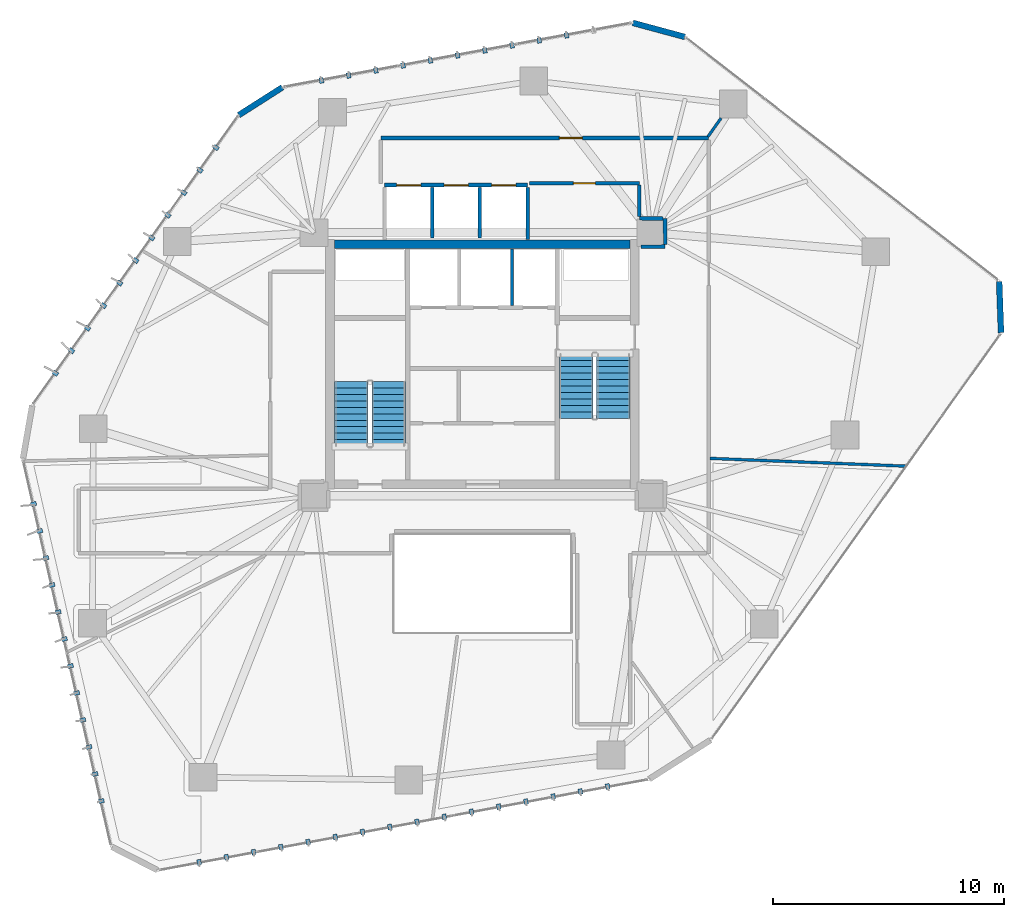
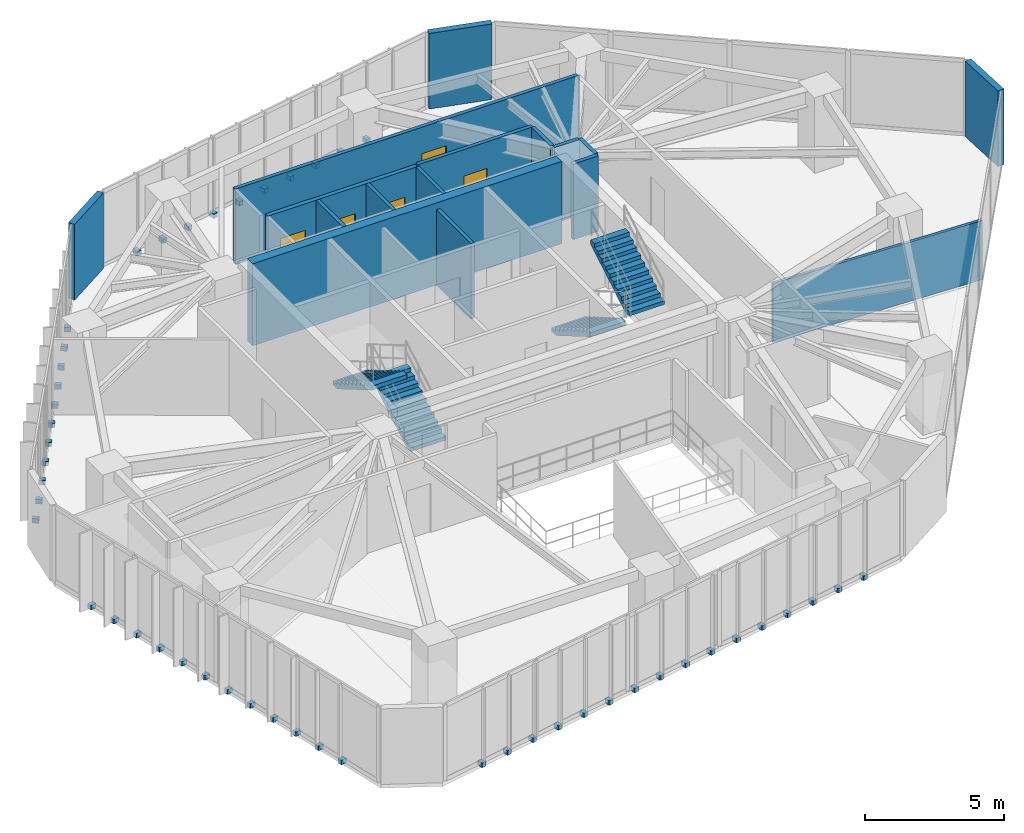
# One storey, part 18 of 22: 49 discrete accessories, 17 walls, 5 doors, 4 stair flights, 5 openings, 2 elements without a shape of their own.
"""IFC4 building model written with IfcOpenShell, lengths in metres."""

from ifc_helpers import new_model, si_unit, direction, frame, frame_2d, origin, origin_2d, place, context, subcontext, project, spatial, polyline, rectangle, outline, extrude, source, transform, mapped, material, layer, layer_set, type_object, type_shapes, element, fill, aggregate, save


model = new_model("IFC4")

# Units and contexts
model_context = context("Model", 3, precision=1e-05, world=origin(), true_north=direction((0.0, 1.0)))
body_context = subcontext(model_context, "Body", "Model", "MODEL_VIEW")
ifc_project = project(units=[si_unit("LENGTHUNIT", "METRE"), si_unit("AREAUNIT", "SQUARE_METRE"), si_unit("VOLUMEUNIT", "CUBIC_METRE"), si_unit("PLANEANGLEUNIT", "RADIAN"), si_unit("MASSUNIT", "GRAM", prefix="KILO")], contexts=[model_context])

# Site, building, storey
site_placement = place(None, origin())
site = spatial("IfcSite", under=ifc_project, at=site_placement, CompositionType="ELEMENT")
building_placement = place(site_placement, origin())
building = spatial("IfcBuilding", under=site, at=building_placement, Name="Talar Marvaseh", CompositionType="ELEMENT")
storey_placement = place(building_placement, frame((0.0, 0.0, 121.800048828125)))
storey = spatial("IfcBuildingStorey", under=building, at=storey_placement, Name="L31", CompositionType="ELEMENT", Elevation=121.800048828125)

# Walls
ifc_material_1 = material(Name="Precast concrete C45/55", Category="concrete")
ifc_layer_1 = layer(ifc_material_1, 0.2548828125)
ifc_layer_set_1 = layer_set([ifc_layer_1], Name="Precast concrete C45/55")
wall_type_1 = type_object("IfcWallType", Name="Chamfered Hexagonal Corner Pier Wall Z2 255", PredefinedType="SOLIDWALL", material=ifc_layer_set_1)
wall_1_placement = place(storey_placement, frame((15.43701171875, 41.9912109375, 0.0), z_axis=(0.0, 0.0, 1.0), x_axis=(0.8433972083, 0.537290562946, 0.0)))
element("IfcWall", 1, at=wall_1_placement, inside=storey, type_object=wall_type_1, Name="L31 Chamfered Corner Limestone Pier 3", PredefinedType="SOLIDWALL", context=body_context, shape_type="SweptSolid", body=[
    extrude(rectangle(XDim=2.2451171875, YDim=0.2548828125, at=frame_2d((1.12255859375, 0.0))), origin(), (0.0, 0.0, 1.0), 3.31005859375),
])
wall_2_placement = place(storey_placement, frame((32.51416015625, 45.991455078125, 0.0), z_axis=(0.0, 0.0, 1.0), x_axis=(0.96535345272, -0.260945801502, 0.0)))
element("IfcWall", 2, at=wall_2_placement, inside=storey, type_object=wall_type_1, Name="L31 Chamfered Corner Limestone Pier 4", PredefinedType="SOLIDWALL", context=body_context, shape_type="SweptSolid", body=[
    extrude(rectangle(XDim=2.3408203125, YDim=0.2548828125, at=frame_2d((1.17041015625, 0.0))), origin(), (0.0, 0.0, 1.0), 3.31005859375),
])
wall_3_placement = place(storey_placement, frame((48.393798828125, 34.777099609375, 0.0), z_axis=(0.0, 0.0, 1.0), x_axis=(0.036237618582, -0.999343201808, 0.0)))
element("IfcWall", 3, at=wall_3_placement, inside=storey, type_object=wall_type_1, Name="L31 Chamfered Corner Limestone Pier 5", PredefinedType="SOLIDWALL", context=body_context, shape_type="SweptSolid", body=[
    extrude(rectangle(XDim=2.216552734375, YDim=0.2548828125, at=frame_2d((1.1083984375, 0.0))), origin(), (0.0, 0.0, 1.0), 3.31005859375),
])

# Wall, opening, door
ifc_material_2 = material(Name="Gypsum Board Partition Assembly")
ifc_layer_2 = layer(ifc_material_2, 0.155029296875)
ifc_layer_set_2 = layer_set([ifc_layer_2], Name="Gypsum Board Partition Assembly")
wall_type_2 = type_object("IfcWallType", Name="Corridor Fire-Rated Acoustic Partition 155", PredefinedType="PARTITIONING", material=ifc_layer_set_2)
wall_4_placement = place(storey_placement, frame((32.800048828125, 39.0400390625, 0.0), z_axis=(0.0, 0.0, 1.0), x_axis=(-1.0, 0.0, 0.0)))
wall_4 = element("IfcWall", 4, at=wall_4_placement, inside=storey, type_object=wall_type_2, Name="L31 Interior Partition Wall", PredefinedType="PARTITIONING", context=body_context, shape_type="SweptSolid", body=[
    extrude(rectangle(XDim=4.77001953125, YDim=0.155029296875, at=frame_2d((2.385009765625, 0.0))), origin(), (0.0, 0.0, 1.0), 3.31005859375),
])
opening_1_placement = place(wall_4_placement, frame((1.909912109375, 0.0, 0.0)))
opening_1 = element("IfcOpeningElement", 5, at=opening_1_placement, cuts=wall_4, Name="Opening DR-WC095", PredefinedType="OPENING", context=body_context, shape_type="SweptSolid", body=[
    extrude(rectangle(XDim=0.949951171875, YDim=2.14990234375, at=frame_2d((0.47509765625, 1.074951171875))), frame((0.0, 0.08740234375, 0.0), z_axis=(0.0, -1.0, 0.0), x_axis=(1.0, 0.0, 0.0)), (0.0, 0.0, 1.0), 0.175048828125),
])
ifc_material_3 = material(Name="Acoustic Engineered Oak Timber", Category="wood")
door_type_1 = type_object("IfcDoorType", Name="Washroom and Service Room Door 950x2150", OperationType="NOTDEFINED", PredefinedType="DOOR", material=ifc_material_3)
shared_shape_1 = source(origin(), body_context, "Body", "SweptSolid", [
    extrude(rectangle(XDim=0.949951171875, YDim=2.14990234375, at=frame_2d((0.47509765625, 1.074951171875))), frame((0.0, 0.02490234375, 0.0), z_axis=(0.0, -1.0, 0.0), x_axis=(1.0, 0.0, 0.0)), (0.0, 0.0, 1.0), 0.050048828125),
])
type_shapes(door_type_1, [shared_shape_1])
door_1_placement = place(opening_1_placement, origin())
door_1 = element("IfcDoor", 6, at=door_1_placement, inside=storey, type_object=door_type_1, Name="L31 WC Public Washrooms Door", OperationType="SINGLE_SWING_LEFT", OverallHeight=2.14990234375, OverallWidth=0.949951171875, PredefinedType="DOOR", context=body_context, shape_type="MappedRepresentation", body=[
    mapped(shared_shape_1, transform((0.0, 0.0, 0.0), x_axis=(1.0, 0.0, 0.0), y_axis=(0.0, 1.0, 0.0), z_axis=(0.0, 0.0, 1.0), scale=1.0)),
])
fill(opening_1, door_1)

wall_5_placement = place(storey_placement, frame((21.60009765625, 41.0, 0.0), z_axis=(0.0, 0.0, 1.0), x_axis=(1.0, 0.0, 0.0)))
wall_5 = element("IfcWall", 7, at=wall_5_placement, inside=storey, type_object=wall_type_2, Name="L31 Interior Partition Wall", PredefinedType="PARTITIONING", context=body_context, shape_type="SweptSolid", body=[
    extrude(rectangle(XDim=14.199951171875, YDim=0.155029296875, at=frame_2d((7.10009765625, 0.0))), origin(), (0.0, 0.0, 1.0), 3.31005859375),
])
opening_2_placement = place(wall_5_placement, frame((7.736083984375, 0.0, 0.0)))
opening_2 = element("IfcOpeningElement", 8, at=opening_2_placement, cuts=wall_5, Name="Opening DR-RM100", PredefinedType="OPENING", context=body_context, shape_type="SweptSolid", body=[
    extrude(rectangle(XDim=1.0, YDim=2.14990234375, at=frame_2d((0.5, 1.074951171875))), frame((0.0, 0.08740234375, 0.0), z_axis=(0.0, -1.0, 0.0), x_axis=(1.0, 0.0, 0.0)), (0.0, 0.0, 1.0), 0.175048828125),
])
door_type_2 = type_object("IfcDoorType", Name="Corridor Fire-Rated Gallery Door 1000x2150", OperationType="NOTDEFINED", PredefinedType="DOOR", material=ifc_material_3)
shared_shape_2 = source(origin(), body_context, "Body", "SweptSolid", [
    extrude(rectangle(XDim=1.0, YDim=2.14990234375, at=frame_2d((0.5, 1.074951171875))), frame((0.0, 0.02490234375, 0.0), z_axis=(0.0, -1.0, 0.0), x_axis=(1.0, 0.0, 0.0)), (0.0, 0.0, 1.0), 0.050048828125),
])
type_shapes(door_type_2, [shared_shape_2])
door_2_placement = place(opening_2_placement, origin())
door_2 = element("IfcDoor", 9, at=door_2_placement, inside=storey, type_object=door_type_2, Name="L31 Cultural Fellowship Office Door", OperationType="SINGLE_SWING_RIGHT", OverallHeight=2.14990234375, OverallWidth=1.0, PredefinedType="DOOR", context=body_context, shape_type="MappedRepresentation", body=[
    mapped(shared_shape_2, transform((0.0, 0.0, 0.0), x_axis=(1.0, 0.0, 0.0), y_axis=(0.0, 1.0, 0.0), z_axis=(0.0, 0.0, 1.0), scale=1.0)),
])
fill(opening_2, door_2)

# Walls
wall_6_placement = place(storey_placement, frame((32.8701171875, 36.284912109375, 0.0), z_axis=(0.0, 0.0, 1.0), x_axis=(0.999895094683, 0.014484461652, 0.0)))
element("IfcWall", 10, at=wall_6_placement, inside=storey, type_object=wall_type_2, Name="L31 Interior Partition Wall", PredefinedType="PARTITIONING", context=body_context, shape_type="SweptSolid", body=[
    extrude(rectangle(XDim=1.044921875, YDim=0.155029296875, at=frame_2d((0.5224609375, 0.0))), origin(), (0.0, 0.0, 1.0), 3.31005859375),
])
wall_7_placement = place(storey_placement, frame((33.914794921875, 36.383544921875, 0.0), z_axis=(0.0, 0.0, 1.0), x_axis=(-0.003682817312, 0.999993218405, 0.0)))
element("IfcWall", 11, at=wall_7_placement, inside=storey, type_object=wall_type_2, Name="L31 Interior Partition Wall", PredefinedType="PARTITIONING", context=body_context, shape_type="SweptSolid", body=[
    extrude(rectangle(XDim=1.126953125, YDim=0.155029296875, at=frame_2d((0.5634765625, 0.0))), origin(), (0.0, 0.0, 1.0), 3.31005859375),
])
wall_8_placement = place(storey_placement, frame((33.8271484375, 37.510986328125, 0.0), z_axis=(0.0, 0.0, 1.0), x_axis=(-0.99999276797, 0.003803157663, 0.0)))
element("IfcWall", 12, at=wall_8_placement, inside=storey, type_object=wall_type_2, Name="L31 Interior Partition Wall", PredefinedType="PARTITIONING", context=body_context, shape_type="SweptSolid", body=[
    extrude(rectangle(XDim=1.027099609375, YDim=0.155029296875, at=frame_2d((0.513671875, 0.0))), origin(), (0.0, 0.0, 1.0), 3.31005859375),
])
wall_9_placement = place(storey_placement, frame((32.800048828125, 37.598388671875, 0.0), z_axis=(0.0, 0.0, 1.0), x_axis=(0.0, 1.0, 0.0)))
element("IfcWall", 13, at=wall_9_placement, inside=storey, type_object=wall_type_2, Name="L31 Interior Partition Wall", PredefinedType="PARTITIONING", context=body_context, shape_type="SweptSolid", body=[
    extrude(rectangle(XDim=1.358154296875, YDim=0.155029296875, at=frame_2d((0.67919921875, 0.0))), origin(), (0.0, 0.0, 1.0), 3.31005859375),
])
ifc_layer_3 = layer(ifc_material_2, 0.1201171875)
ifc_layer_set_3 = layer_set([ifc_layer_3], Name="Gypsum Board Partition Assembly")
wall_type_3 = type_object("IfcWallType", Name="Demountable Studio Room Partition 120", PredefinedType="PARTITIONING", material=ifc_layer_set_3)
wall_10_placement = place(storey_placement, frame((35.864990234375, 27.117431640625, 0.0), z_axis=(0.0, 0.0, 1.0), x_axis=(0.999216289982, -0.039582898263, 0.0)))
element("IfcWall", 14, at=wall_10_placement, inside=storey, type_object=wall_type_3, Name="L31 Interior Partition Wall", PredefinedType="PARTITIONING", context=body_context, shape_type="SweptSolid", body=[
    extrude(rectangle(XDim=8.480712890625, YDim=0.1201171875, at=frame_2d((4.240234375, 0.0))), origin(), (0.0, 0.0, 1.0), 2.58984375),
])
wall_11_placement = place(storey_placement, frame((35.767578125, 41.052978515625, 0.0), z_axis=(0.0, 0.0, 1.0), x_axis=(0.578551152371, 0.815646102234, 0.0)))
element("IfcWall", 15, at=wall_11_placement, inside=storey, type_object=wall_type_3, Name="L31 Interior Partition Wall", PredefinedType="PARTITIONING", context=body_context, shape_type="SweptSolid", body=[
    extrude(rectangle(XDim=0.989501953125, YDim=0.1201171875, at=frame_2d((0.49462890625, 0.0))), origin(), (0.0, 0.0, 1.0), 2.58984375),
])
ifc_layer_4 = layer(ifc_material_1, 0.14501953125)
ifc_layer_set_4 = layer_set([ifc_layer_4], Name="Precast concrete C45/55")
wall_type_4 = type_object("IfcWallType", Name="Fire-Rated Lift Divider Wall 145", PredefinedType="SOLIDWALL", material=ifc_layer_set_4)
wall_12_placement = place(storey_placement, frame((27.280029296875, 33.743408203125, 0.0), z_axis=(0.0, 0.0, 1.0), x_axis=(0.0, 1.0, 0.0)))
element("IfcWall", 16, at=wall_12_placement, inside=storey, type_object=wall_type_4, Name="L31 FFL-2/SVL-1 Divider", PredefinedType="SOLIDWALL", context=body_context, shape_type="SweptSolid", body=[
    extrude(rectangle(XDim=2.45654296875, YDim=0.14501953125, at=frame_2d((1.228271484375, 0.0))), origin(), (0.0, 0.0, 1.0), 3.31005859375),
])
wall_13_placement = place(storey_placement, frame((27.9599609375, 36.60009765625, 0.0), z_axis=(0.0, 0.0, 1.0), x_axis=(0.0, 1.0, 0.0)))
element("IfcWall", 17, at=wall_13_placement, inside=storey, type_object=wall_type_4, Name="L31 Low-Rise Bank East Wall", PredefinedType="SOLIDWALL", context=body_context, shape_type="SweptSolid", body=[
    extrude(rectangle(XDim=2.266357421875, YDim=0.14501953125, at=frame_2d((1.13330078125, 0.0))), origin(), (0.0, 0.0, 1.0), 3.31005859375),
])
for number, where, z_axis, x_axis, name in (
    (18, (23.830078125, 36.659912109375, 0.0), (0.0, 0.0, 1.0), (0.0, 1.0, 0.0), "L31 PL-L1/PL-L2 Divider"),
    (19, (25.889892578125, 36.659912109375, 0.0), (0.0, 0.0, 1.0), (0.0, 1.0, 0.0), "L31 PL-L2/PL-L3 Divider"),
):
    element("IfcWall", number, at=place(storey_placement, frame(where, z_axis=z_axis, x_axis=x_axis)), inside=storey, type_object=wall_type_4, Name=name, PredefinedType="SOLIDWALL", context=body_context, shape_type="SweptSolid", body=[
        extrude(rectangle(XDim=2.20654296875, YDim=0.14501953125, at=frame_2d((1.103271484375, 0.0))), origin(), (0.0, 0.0, 1.0), 3.31005859375),
    ])

# Wall, openings, doors
ifc_layer_5 = layer(ifc_material_1, 0.175048828125)
ifc_layer_set_5 = layer_set([ifc_layer_5], Name="Precast concrete C45/55")
wall_type_5 = type_object("IfcWallType", Name="Fire-Rated Lift Hoistway Enclosure Wall 175", PredefinedType="SOLIDWALL", material=ifc_layer_set_5)
wall_14_placement = place(storey_placement, frame((21.760009765625, 38.9599609375, 0.0), z_axis=(0.0, 0.0, 1.0), x_axis=(1.0, 0.0, 0.0)))
wall_14 = element("IfcWall", 20, at=wall_14_placement, inside=storey, type_object=wall_type_5, Name="L31 Low-Rise Lift Bank Front Wall", PredefinedType="SOLIDWALL", context=body_context, shape_type="SweptSolid", body=[
    extrude(rectangle(XDim=6.199951171875, YDim=0.175048828125, at=frame_2d((3.10009765625, 0.0))), origin(), (0.0, 0.0, 1.0), 3.31005859375),
])
opening_3_placement = place(wall_14_placement, frame((0.52001953125, 0.0, 0.0)))
opening_3 = element("IfcOpeningElement", 21, at=opening_3_placement, cuts=wall_14, Name="Opening LD-PLL1", PredefinedType="OPENING", context=body_context, shape_type="SweptSolid", body=[
    extrude(rectangle(XDim=1.050048828125, YDim=2.14990234375, at=frame_2d((0.52490234375, 1.074951171875))), frame((0.0, 0.09765625, 0.0), z_axis=(0.0, -1.0, 0.0), x_axis=(1.0, 0.0, 0.0)), (0.0, 0.0, 1.0), 0.195068359375),
])
opening_4_placement = place(wall_14_placement, frame((2.580078125, 0.0, 0.0)))
opening_4 = element("IfcOpeningElement", 22, at=opening_4_placement, cuts=wall_14, Name="Opening LD-PLL2", PredefinedType="OPENING", context=body_context, shape_type="SweptSolid", body=[
    extrude(rectangle(XDim=1.050048828125, YDim=2.14990234375, at=frame_2d((0.52490234375, 1.074951171875))), frame((0.0, 0.09765625, 0.0), z_axis=(0.0, -1.0, 0.0), x_axis=(1.0, 0.0, 0.0)), (0.0, 0.0, 1.0), 0.195068359375),
])
opening_5_placement = place(wall_14_placement, frame((4.639892578125, 0.0, 0.0)))
opening_5 = element("IfcOpeningElement", 23, at=opening_5_placement, cuts=wall_14, Name="Opening LD-PLL3", PredefinedType="OPENING", context=body_context, shape_type="SweptSolid", body=[
    extrude(rectangle(XDim=1.050048828125, YDim=2.14990234375, at=frame_2d((0.52490234375, 1.074951171875))), frame((0.0, 0.09765625, 0.0), z_axis=(0.0, -1.0, 0.0), x_axis=(1.0, 0.0, 0.0)), (0.0, 0.0, 1.0), 0.195068359375),
])
ifc_material_4 = material(Name="Stainless Steel Grade 316", Category="steel")
door_type_3 = type_object("IfcDoorType", Name="Automatic Sliding Lift Landing Door 1050x2150", OperationType="NOTDEFINED", PredefinedType="DOOR", material=ifc_material_4)
shared_shape_3 = source(origin(), body_context, "Body", "SweptSolid", [
    extrude(rectangle(XDim=1.050048828125, YDim=2.14990234375, at=frame_2d((0.52490234375, 1.074951171875))), frame((0.0, 0.02490234375, 0.0), z_axis=(0.0, -1.0, 0.0), x_axis=(1.0, 0.0, 0.0)), (0.0, 0.0, 1.0), 0.050048828125),
])
type_shapes(door_type_3, [shared_shape_3])
door_3_placement = place(opening_3_placement, origin())
door_3 = element("IfcDoor", 24, at=door_3_placement, inside=storey, type_object=door_type_3, Name="L31 Lift PL-L1 Sliding Landing Door", OperationType="SLIDING_TO_LEFT", OverallHeight=2.14990234375, OverallWidth=1.050048828125, PredefinedType="DOOR", context=body_context, shape_type="MappedRepresentation", body=[
    mapped(shared_shape_3, transform((0.0, 0.0, 0.0), x_axis=(1.0, 0.0, 0.0), y_axis=(0.0, 1.0, 0.0), z_axis=(0.0, 0.0, 1.0), scale=1.0)),
])
fill(opening_3, door_3)
door_4_placement = place(opening_4_placement, origin())
door_4 = element("IfcDoor", 25, at=door_4_placement, inside=storey, type_object=door_type_3, Name="L31 Lift PL-L2 Sliding Landing Door", OperationType="SLIDING_TO_LEFT", OverallHeight=2.14990234375, OverallWidth=1.050048828125, PredefinedType="DOOR", context=body_context, shape_type="MappedRepresentation", body=[
    mapped(shared_shape_3, transform((0.0, 0.0, 0.0), x_axis=(1.0, 0.0, 0.0), y_axis=(0.0, 1.0, 0.0), z_axis=(0.0, 0.0, 1.0), scale=1.0)),
])
fill(opening_4, door_4)
door_5_placement = place(opening_5_placement, origin())
door_5 = element("IfcDoor", 26, at=door_5_placement, inside=storey, type_object=door_type_3, Name="L31 Lift PL-L3 Sliding Landing Door", OperationType="SLIDING_TO_LEFT", OverallHeight=2.14990234375, OverallWidth=1.050048828125, PredefinedType="DOOR", context=body_context, shape_type="MappedRepresentation", body=[
    mapped(shared_shape_3, transform((0.0, 0.0, 0.0), x_axis=(1.0, 0.0, 0.0), y_axis=(0.0, 1.0, 0.0), z_axis=(0.0, 0.0, 1.0), scale=1.0)),
])
fill(opening_5, door_5)

# Wall
ifc_material_5 = material(Name="Concrete C60/75", Category="concrete")
ifc_layer_6 = layer(ifc_material_5, 0.3798828125)
ifc_layer_set_6 = layer_set([ifc_layer_6], Name="Concrete C60/75")
wall_type_6 = type_object("IfcWallType", Name="Mid Core Reinforced Concrete Shear Wall 380", PredefinedType="SHEAR", material=ifc_layer_set_6)
wall_15_placement = place(storey_placement, frame((19.60009765625, 36.39990234375, 0.0), z_axis=(0.0, 0.0, 1.0), x_axis=(1.0, 0.0, 0.0)))
element("IfcWall", 27, at=wall_15_placement, inside=storey, type_object=wall_type_6, Name="L31 North Core Shear Wall", PredefinedType="SHEAR", context=body_context, shape_type="SweptSolid", body=[
    extrude(rectangle(XDim=12.7998046875, YDim=0.3798828125, at=frame_2d((6.39990234375, 0.0))), origin(), (0.0, 0.0, 1.0), 3.599853515625),
])

# Stair, stair flights
ifc_material_6 = material(Name="Concrete C40/50", Category="concrete")
stair_type = type_object("IfcStairType", Name="Reinforced Concrete Half-Turn Exit Stair Type B", PredefinedType="HALF_TURN_STAIR", material=ifc_material_6)
stair_1_placement = place(storey_placement, origin())
stair_1 = element("IfcStair", 28, at=stair_1_placement, inside=storey, type_object=stair_type, Name="L31 Tower West Core Exit Stair", PredefinedType="HALF_TURN_STAIR")
ifc_layer_7 = layer(ifc_material_6, 0.159912109375)
ifc_layer_set_7 = layer_set([ifc_layer_7], Name="Concrete C40/50")
stair_flight_type = type_object("IfcStairFlightType", Name="Reinforced Concrete Straight Stair Flight 160", PredefinedType="STRAIGHT", material=ifc_layer_set_7)
stair_flight_1_placement = place(storey_placement, frame((21.93505859375, 27.64990234375, 0.0), z_axis=(0.0, 0.0, 1.0), x_axis=(0.0, 1.0, 0.0)))
stair_flight_1 = element("IfcStairFlight", 29, at=stair_flight_1_placement, type_object=stair_flight_type, Name="ST-1 flight 1", NumberOfRisers=11, NumberOfTreads=10, PredefinedType="STRAIGHT", RiserHeight=0.163636364, TreadLength=0.28, context=body_context, shape_type="SweptSolid", body=[
    extrude(outline(polyline([(0.0, 0.0), (0.0, 0.16357421875), (0.280029296875, 0.16357421875), (0.280029296875, 0.327392578125), (0.56005859375, 0.327392578125), (0.56005859375, 0.490966796875), (0.840087890625, 0.490966796875), (0.840087890625, 0.654541015625), (1.1201171875, 0.654541015625), (1.1201171875, 0.818115234375), (1.39990234375, 0.818115234375), (1.39990234375, 0.98193359375), (1.679931640625, 0.98193359375), (1.679931640625, 1.1455078125), (1.9599609375, 1.1455078125), (1.9599609375, 1.30908203125), (2.239990234375, 1.30908203125), (2.239990234375, 1.47265625), (2.52001953125, 1.47265625), (2.52001953125, 1.636474609375), (2.800048828125, 1.636474609375), (2.800048828125, 1.800048828125), (2.800048828125, 1.451171875), (0.31689453125, 0.0), (0.0, 0.0)])), frame((0.0, 0.72509765625, 0.0), z_axis=(0.0, -1.0, 0.0), x_axis=(1.0, 0.0, 0.0)), (0.0, 0.0, 1.0), 1.449951171875),
])
stair_flight_2_placement = place(storey_placement, frame((20.324951171875, 30.449951171875, 1.800048828125), z_axis=(0.0, 0.0, 1.0), x_axis=(0.0, -1.0, 0.0)))
stair_flight_2 = element("IfcStairFlight", 30, at=stair_flight_2_placement, type_object=stair_flight_type, Name="ST-1 flight 2", NumberOfRisers=11, NumberOfTreads=10, PredefinedType="STRAIGHT", RiserHeight=0.163636364, TreadLength=0.28, context=body_context, shape_type="SweptSolid", body=[
    extrude(outline(polyline([(0.0, 0.0), (0.0, 0.16357421875), (0.280029296875, 0.16357421875), (0.280029296875, 0.327392578125), (0.56005859375, 0.327392578125), (0.56005859375, 0.490966796875), (0.840087890625, 0.490966796875), (0.840087890625, 0.654541015625), (1.1201171875, 0.654541015625), (1.1201171875, 0.818115234375), (1.39990234375, 0.818115234375), (1.39990234375, 0.98193359375), (1.679931640625, 0.98193359375), (1.679931640625, 1.1455078125), (1.9599609375, 1.1455078125), (1.9599609375, 1.30908203125), (2.239990234375, 1.30908203125), (2.239990234375, 1.47265625), (2.52001953125, 1.47265625), (2.52001953125, 1.636474609375), (2.800048828125, 1.636474609375), (2.800048828125, 1.800048828125), (2.800048828125, 1.451171875), (0.31689453125, 0.0), (0.0, 0.0)])), frame((0.0, 0.72509765625, 0.0), z_axis=(0.0, -1.0, 0.0), x_axis=(1.0, 0.0, 0.0)), (0.0, 0.0, 1.0), 1.449951171875),
])
aggregate(stair_1, [stair_flight_1, stair_flight_2])

stair_2_placement = place(storey_placement, origin())
stair_2 = element("IfcStair", 31, at=stair_2_placement, inside=storey, type_object=stair_type, Name="L31 Tower East Core Exit Stair", PredefinedType="HALF_TURN_STAIR")
stair_flight_3_placement = place(storey_placement, frame((30.06494140625, 31.64990234375, 0.0), z_axis=(0.0, 0.0, 1.0), x_axis=(0.0, -1.0, 0.0)))
stair_flight_3 = element("IfcStairFlight", 32, at=stair_flight_3_placement, type_object=stair_flight_type, Name="ST-2 flight 1", NumberOfRisers=11, NumberOfTreads=10, PredefinedType="STRAIGHT", RiserHeight=0.163636364, TreadLength=0.28, context=body_context, shape_type="SweptSolid", body=[
    extrude(outline(polyline([(0.0, 0.0), (0.0, 0.16357421875), (0.280029296875, 0.16357421875), (0.280029296875, 0.327392578125), (0.56005859375, 0.327392578125), (0.56005859375, 0.490966796875), (0.840087890625, 0.490966796875), (0.840087890625, 0.654541015625), (1.1201171875, 0.654541015625), (1.1201171875, 0.818115234375), (1.39990234375, 0.818115234375), (1.39990234375, 0.98193359375), (1.679931640625, 0.98193359375), (1.679931640625, 1.1455078125), (1.9599609375, 1.1455078125), (1.9599609375, 1.30908203125), (2.239990234375, 1.30908203125), (2.239990234375, 1.47265625), (2.52001953125, 1.47265625), (2.52001953125, 1.636474609375), (2.800048828125, 1.636474609375), (2.800048828125, 1.800048828125), (2.800048828125, 1.451171875), (0.31689453125, 0.0), (0.0, 0.0)])), frame((0.0, 0.72509765625, 0.0), z_axis=(0.0, -1.0, 0.0), x_axis=(1.0, 0.0, 0.0)), (0.0, 0.0, 1.0), 1.449951171875),
])
stair_flight_4_placement = place(storey_placement, frame((31.675048828125, 28.85009765625, 1.800048828125), z_axis=(0.0, 0.0, 1.0), x_axis=(0.0, 1.0, 0.0)))
stair_flight_4 = element("IfcStairFlight", 33, at=stair_flight_4_placement, type_object=stair_flight_type, Name="ST-2 flight 2", NumberOfRisers=11, NumberOfTreads=10, PredefinedType="STRAIGHT", RiserHeight=0.163636364, TreadLength=0.28, context=body_context, shape_type="SweptSolid", body=[
    extrude(outline(polyline([(0.0, 0.0), (0.0, 0.16357421875), (0.280029296875, 0.16357421875), (0.280029296875, 0.327392578125), (0.56005859375, 0.327392578125), (0.56005859375, 0.490966796875), (0.840087890625, 0.490966796875), (0.840087890625, 0.654541015625), (1.1201171875, 0.654541015625), (1.1201171875, 0.818115234375), (1.39990234375, 0.818115234375), (1.39990234375, 0.98193359375), (1.679931640625, 0.98193359375), (1.679931640625, 1.1455078125), (1.9599609375, 1.1455078125), (1.9599609375, 1.30908203125), (2.239990234375, 1.30908203125), (2.239990234375, 1.47265625), (2.52001953125, 1.47265625), (2.52001953125, 1.636474609375), (2.800048828125, 1.636474609375), (2.800048828125, 1.800048828125), (2.800048828125, 1.451171875), (0.31689453125, 0.0), (0.0, 0.0)])), frame((0.0, 0.72509765625, 0.0), z_axis=(0.0, -1.0, 0.0), x_axis=(1.0, 0.0, 0.0)), (0.0, 0.0, 1.0), 1.449951171875),
])
aggregate(stair_2, [stair_flight_3, stair_flight_4])

# Discrete accessories
discrete_accessory_type = type_object("IfcDiscreteAccessoryType", Name="Stainless Slab-Edge Fin Mounting Bracket", PredefinedType="BRACKET", material=ifc_material_4)
shared_shape_4 = source(origin(), body_context, "Body", "SweptSolid", [
    extrude(rectangle(XDim=0.239990234375, YDim=0.179931640625, at=origin_2d()), origin(), (0.0, 0.0, 1.0), 0.199951171875),
])
type_shapes(discrete_accessory_type, [shared_shape_4])
for number, where, z_axis, x_axis, name in (
    (34, (9.4853515625, 12.270263671875, -0.18017578125), (0.0, 0.0, 1.0), (-0.974955645484, -0.222399391499, 0.0), "L31 Vertical Fin Slab-Edge Bracket"),
    (35, (9.218505859375, 13.440185546875, -0.18017578125), (0.0, 0.0, 1.0), (-0.974955645484, -0.222399391499, 0.0), "L31 Vertical Fin Slab-Edge Bracket"),
    (36, (8.95166015625, 14.610107421875, -0.18017578125), (0.0, 0.0, 1.0), (-0.974955645484, -0.222399391499, 0.0), "L31 Vertical Fin Slab-Edge Bracket"),
    (37, (8.684814453125, 15.780029296875, -0.18017578125), (0.0, 0.0, 1.0), (-0.974955645484, -0.222399391499, 0.0), "L31 Vertical Fin Slab-Edge Bracket"),
    (38, (8.418212890625, 16.9501953125, -0.18017578125), (0.0, 0.0, 1.0), (-0.974955645484, -0.222399391499, 0.0), "L31 Vertical Fin Slab-Edge Bracket"),
    (39, (8.1513671875, 18.1201171875, -0.18017578125), (0.0, 0.0, 1.0), (-0.974955645484, -0.222399391499, 0.0), "L31 Vertical Fin Slab-Edge Bracket"),
    (40, (7.884521484375, 19.2900390625, -0.18017578125), (0.0, 0.0, 1.0), (-0.974955645484, -0.222399391499, 0.0), "L31 Vertical Fin Slab-Edge Bracket"),
    (41, (7.61767578125, 20.4599609375, -0.18017578125), (0.0, 0.0, 1.0), (-0.974955645484, -0.222399391499, 0.0), "L31 Vertical Fin Slab-Edge Bracket"),
    (42, (7.350830078125, 21.6298828125, -0.18017578125), (0.0, 0.0, 1.0), (-0.974955645484, -0.222399391499, 0.0), "L31 Vertical Fin Slab-Edge Bracket"),
    (43, (7.083984375, 22.7998046875, -0.18017578125), (0.0, 0.0, 1.0), (-0.974955645484, -0.222399391499, 0.0), "L31 Vertical Fin Slab-Edge Bracket"),
    (44, (6.817138671875, 23.969970703125, -0.18017578125), (0.0, 0.0, 1.0), (-0.974955645484, -0.222399391499, 0.0), "L31 Vertical Fin Slab-Edge Bracket"),
    (45, (6.55029296875, 25.139892578125, -0.18017578125), (0.0, 0.0, 1.0), (-0.974955645484, -0.222399391499, 0.0), "L31 Vertical Fin Slab-Edge Bracket"),
    (46, (7.497314453125, 30.804931640625, -0.18017578125), (0.0, 0.0, 1.0), (-0.814824373094, 0.579707892832, 0.0), "L31 Vertical Fin Slab-Edge Bracket"),
    (47, (8.19287109375, 31.78271484375, -0.18017578125), (0.0, 0.0, 1.0), (-0.814824373094, 0.579707892832, 0.0), "L31 Vertical Fin Slab-Edge Bracket"),
    (48, (8.888671875, 32.760498046875, -0.18017578125), (0.0, 0.0, 1.0), (-0.814824373094, 0.579707892832, 0.0), "L31 Vertical Fin Slab-Edge Bracket"),
    (49, (9.584228515625, 33.73828125, -0.18017578125), (0.0, 0.0, 1.0), (-0.814824373094, 0.579707892832, 0.0), "L31 Vertical Fin Slab-Edge Bracket"),
    (50, (10.27978515625, 34.716064453125, -0.18017578125), (0.0, 0.0, 1.0), (-0.814824373094, 0.579707892832, 0.0), "L31 Vertical Fin Slab-Edge Bracket"),
    (51, (10.9755859375, 35.69384765625, -0.18017578125), (0.0, 0.0, 1.0), (-0.814824373094, 0.579707892832, 0.0), "L31 Vertical Fin Slab-Edge Bracket"),
    (52, (11.67138671875, 36.671630859375, -0.18017578125), (0.0, 0.0, 1.0), (-0.814824373094, 0.579707892832, 0.0), "L31 Vertical Fin Slab-Edge Bracket"),
    (53, (12.366943359375, 37.6494140625, -0.18017578125), (0.0, 0.0, 1.0), (-0.814824373094, 0.579707892832, 0.0), "L31 Vertical Fin Slab-Edge Bracket"),
    (54, (13.062744140625, 38.627197265625, -0.18017578125), (0.0, 0.0, 1.0), (-0.814824373094, 0.579707892832, 0.0), "L31 Vertical Fin Slab-Edge Bracket"),
    (55, (13.75830078125, 39.60498046875, -0.18017578125), (0.0, 0.0, 1.0), (-0.814824373094, 0.579707892832, 0.0), "L31 Vertical Fin Slab-Edge Bracket"),
    (56, (14.4541015625, 40.582763671875, -0.18017578125), (0.0, 0.0, 1.0), (-0.814824373094, 0.579707892832, 0.0), "L31 Vertical Fin Slab-Edge Bracket"),
    (57, (19.022705078125, 43.4931640625, -0.18017578125), (0.0, 0.0, 1.0), (-0.1810341173, 0.983476816388, 0.0), "L31 Vertical Fin Slab-Edge Bracket"),
    (58, (20.202880859375, 43.71044921875, -0.18017578125), (0.0, 0.0, 1.0), (-0.1810341173, 0.983476816388, 0.0), "L31 Vertical Fin Slab-Edge Bracket"),
    (59, (21.3828125, 43.927734375, -0.18017578125), (0.0, 0.0, 1.0), (-0.1810341173, 0.983476816388, 0.0), "L31 Vertical Fin Slab-Edge Bracket"),
    (60, (22.56298828125, 44.14501953125, -0.18017578125), (0.0, 0.0, 1.0), (-0.1810341173, 0.983476816388, 0.0), "L31 Vertical Fin Slab-Edge Bracket"),
    (61, (23.7431640625, 44.3623046875, -0.18017578125), (0.0, 0.0, 1.0), (-0.1810341173, 0.983476816388, 0.0), "L31 Vertical Fin Slab-Edge Bracket"),
    (62, (24.92333984375, 44.57958984375, -0.18017578125), (0.0, 0.0, 1.0), (-0.1810341173, 0.983476816388, 0.0), "L31 Vertical Fin Slab-Edge Bracket"),
    (63, (26.103515625, 44.796875, -0.18017578125), (0.0, 0.0, 1.0), (-0.1810341173, 0.983476816388, 0.0), "L31 Vertical Fin Slab-Edge Bracket"),
    (64, (27.28369140625, 45.01416015625, -0.18017578125), (0.0, 0.0, 1.0), (-0.1810341173, 0.983476816388, 0.0), "L31 Vertical Fin Slab-Edge Bracket"),
    (65, (28.4638671875, 45.2314453125, -0.18017578125), (0.0, 0.0, 1.0), (-0.1810341173, 0.983476816388, 0.0), "L31 Vertical Fin Slab-Edge Bracket"),
    (66, (29.64404296875, 45.44873046875, -0.18017578125), (0.0, 0.0, 1.0), (-0.1810341173, 0.983476816388, 0.0), "L31 Vertical Fin Slab-Edge Bracket"),
    (67, (31.425537109375, 12.89794921875, -0.18017578125), (0.0, 0.0, 1.0), (0.182407133071, -0.983223086489, 0.0), "L31 Vertical Fin Slab-Edge Bracket"),
    (68, (30.24560546875, 12.67919921875, -0.18017578125), (0.0, 0.0, 1.0), (0.182407133071, -0.983223086489, 0.0), "L31 Vertical Fin Slab-Edge Bracket"),
    (69, (29.06591796875, 12.460205078125, -0.18017578125), (0.0, 0.0, 1.0), (0.182407133071, -0.983223086489, 0.0), "L31 Vertical Fin Slab-Edge Bracket"),
    (70, (27.885986328125, 12.241455078125, -0.18017578125), (0.0, 0.0, 1.0), (0.182407133071, -0.983223086489, 0.0), "L31 Vertical Fin Slab-Edge Bracket"),
    (71, (26.7060546875, 12.0224609375, -0.18017578125), (0.0, 0.0, 1.0), (0.182407133071, -0.983223086489, 0.0), "L31 Vertical Fin Slab-Edge Bracket"),
    (72, (25.526123046875, 11.8037109375, -0.18017578125), (0.0, 0.0, 1.0), (0.182407133071, -0.983223086489, 0.0), "L31 Vertical Fin Slab-Edge Bracket"),
    (73, (24.34619140625, 11.584716796875, -0.18017578125), (0.0, 0.0, 1.0), (0.182407133071, -0.983223086489, 0.0), "L31 Vertical Fin Slab-Edge Bracket"),
    (74, (23.16650390625, 11.365966796875, -0.18017578125), (0.0, 0.0, 1.0), (0.182407133071, -0.983223086489, 0.0), "L31 Vertical Fin Slab-Edge Bracket"),
    (75, (21.986572265625, 11.14697265625, -0.18017578125), (0.0, 0.0, 1.0), (0.182407133071, -0.983223086489, 0.0), "L31 Vertical Fin Slab-Edge Bracket"),
    (76, (20.806640625, 10.92822265625, -0.18017578125), (0.0, 0.0, 1.0), (0.182407133071, -0.983223086489, 0.0), "L31 Vertical Fin Slab-Edge Bracket"),
    (77, (19.626708984375, 10.709228515625, -0.18017578125), (0.0, 0.0, 1.0), (0.182407133071, -0.983223086489, 0.0), "L31 Vertical Fin Slab-Edge Bracket"),
    (78, (18.447021484375, 10.490478515625, -0.18017578125), (0.0, 0.0, 1.0), (0.182407133071, -0.983223086489, 0.0), "L31 Vertical Fin Slab-Edge Bracket"),
    (79, (17.26708984375, 10.271484375, -0.18017578125), (0.0, 0.0, 1.0), (0.182407133071, -0.983223086489, 0.0), "L31 Vertical Fin Slab-Edge Bracket"),
    (80, (16.087158203125, 10.052734375, -0.18017578125), (0.0, 0.0, 1.0), (0.182407133071, -0.983223086489, 0.0), "L31 Vertical Fin Slab-Edge Bracket"),
    (81, (14.9072265625, 9.833740234375, -0.18017578125), (0.0, 0.0, 1.0), (0.182407133071, -0.983223086489, 0.0), "L31 Vertical Fin Slab-Edge Bracket"),
    (82, (13.7275390625, 9.614990234375, -0.18017578125), (0.0, 0.0, 1.0), (0.182407133071, -0.983223086489, 0.0), "L31 Vertical Fin Slab-Edge Bracket"),
):
    element("IfcDiscreteAccessory", number, at=place(storey_placement, frame(where, z_axis=z_axis, x_axis=x_axis)), inside=storey, type_object=discrete_accessory_type, Name=name, PredefinedType="BRACKET", context=body_context, shape_type="MappedRepresentation", body=[
        mapped(shared_shape_4, transform((0.0, 0.0, 0.0), x_axis=(1.0, 0.0, 0.0), y_axis=(0.0, 1.0, 0.0), z_axis=(0.0, 0.0, 1.0), scale=1.0)),
    ])

save(model, "model.ifc")
